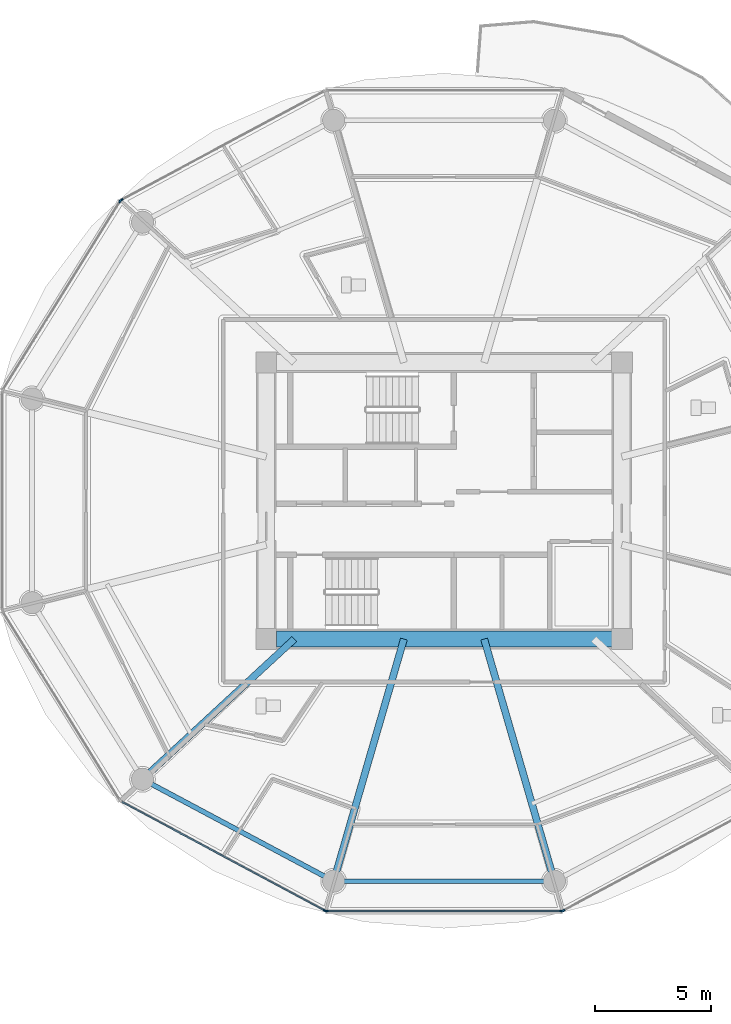
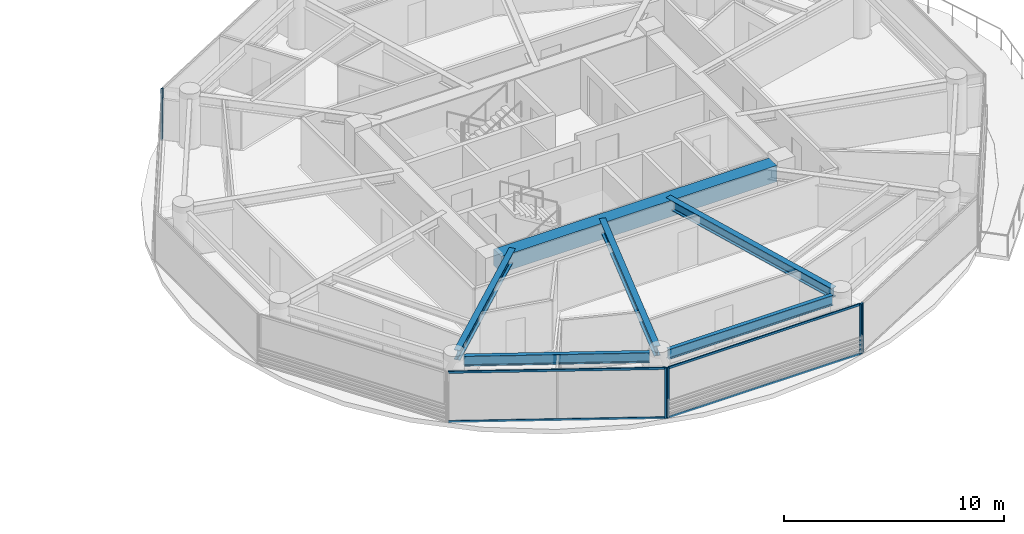
# One storey, part 10 of 31: 10 members, 6 beams, 5 elements without a shape of their own.
"""IFC4 building model written with IfcOpenShell, lengths in metres."""

import ifcopenshell
import ifcopenshell.guid

model = None  # the IFC model being written
_history = None  # IfcOwnerHistory: only IFC2X3 demands one
_inside = {}  # id of a spatial element -> (the spatial element, [elements in it])
_under = {}  # id of a project, library or spatial element -> (it, [spatial elements below it])
_declared = {}  # id of a project -> (the project, [libraries it declares])
_typed = {}  # id of a type object -> (the type object, [elements of that type])
_made_of = {}  # id of a material, layer set ... -> (it, [elements and type objects made of it])


def new_model(schema):
    """Start an empty IFC model of exactly this schema.

    Asked for "IFC4X3", IfcOpenShell would pick the latest addendum, in which some entities
    have other attributes; the version numbers below select the first issue.
    IFC2X3 requires an IfcOwnerHistory on every rooted entity: one is made here for all.
    """
    global model, _history
    if schema == "IFC4X3":
        model = ifcopenshell.file(schema_version=(4, 3, 0, 0))
    else:
        model = ifcopenshell.file(schema=schema)
    _inside.clear()
    _under.clear()
    _declared.clear()
    _typed.clear()
    _made_of.clear()
    _history = None
    if model.schema == "IFC2X3":
        org = make("IfcOrganization", Name="unknown")
        user = make(
            "IfcPersonAndOrganization",
            ThePerson=make("IfcPerson", FamilyName="unknown"),
            TheOrganization=org,
        )
        app = make(
            "IfcApplication",
            ApplicationDeveloper=org,
            Version="unknown",
            ApplicationFullName="unknown",
            ApplicationIdentifier="unknown",
        )
        _history = make(
            "IfcOwnerHistory",
            OwningUser=user,
            OwningApplication=app,
            ChangeAction="ADDED",
            CreationDate=0,
        )
    return model


def make(cls, **values):
    """One entity of the class cls with the attributes given. An attribute that is None is left unset."""
    return model.create_entity(
        cls, **{name: value for name, value in values.items() if value is not None}
    )


def rooted(cls, **values):
    """An entity with a GlobalId (a new one), such as an element, a storey or a relation."""
    return make(cls, GlobalId=ifcopenshell.guid.new(), OwnerHistory=_history, **values)


def si_unit(unit_type, name, prefix=None):
    """IfcSIUnit, for example si_unit("LENGTHUNIT", "METRE", prefix="MILLI")."""
    return make("IfcSIUnit", UnitType=unit_type, Prefix=prefix, Name=name)


def assignment(units):
    """IfcUnitAssignment: the units of a project."""
    return None if units is None else make("IfcUnitAssignment", Units=units)


def point(xyz):
    """IfcCartesianPoint."""
    return None if xyz is None else make("IfcCartesianPoint", Coordinates=xyz)


def direction(xyz):
    """IfcDirection."""
    return None if xyz is None else make("IfcDirection", DirectionRatios=xyz)


def frame(location, z_axis=None, x_axis=None):
    """IfcAxis2Placement3D, a coordinate frame: its origin and axes. An axis left out is left unset."""
    return make(
        "IfcAxis2Placement3D",
        Location=point(location),
        Axis=direction(z_axis),
        RefDirection=direction(x_axis),
    )


def frame_2d(location, x_axis=None):
    """IfcAxis2Placement2D, a coordinate frame in the plane: its origin and x axis."""
    return make(
        "IfcAxis2Placement2D", Location=point(location), RefDirection=direction(x_axis)
    )


def origin():
    """The frame at (0, 0, 0) with its axes left unset."""
    return frame((0.0, 0.0, 0.0))


def origin_2d():
    """The frame at (0, 0) in the plane with its x axis left unset."""
    return frame_2d((0.0, 0.0))


def place(relative_to, where):
    """IfcLocalPlacement: puts the frame where relative to a parent placement (None: the world)."""
    return make(
        "IfcLocalPlacement", PlacementRelTo=relative_to, RelativePlacement=where
    )


def context(
    kind, dimensions, precision=None, world=None, true_north=None, identifier=None
):
    """IfcGeometricRepresentationContext, for example the 3D "Model" context."""
    return make(
        "IfcGeometricRepresentationContext",
        ContextIdentifier=identifier,
        ContextType=kind,
        CoordinateSpaceDimension=dimensions,
        Precision=precision,
        WorldCoordinateSystem=world,
        TrueNorth=true_north,
    )


def subcontext(parent, identifier, kind, view, scale=None):
    """IfcGeometricRepresentationSubContext, for example "Body" below "Model"."""
    return make(
        "IfcGeometricRepresentationSubContext",
        ContextIdentifier=identifier,
        ContextType=kind,
        ParentContext=parent,
        TargetScale=scale,
        TargetView=view,
    )


def project(units=None, contexts=None):
    """IfcProject with its units and contexts."""
    return rooted(
        "IfcProject",
        Name="project",
        RepresentationContexts=contexts,
        UnitsInContext=assignment(units),
    )


def spatial(cls, under=None, at=None, **own):
    """A site, building, storey or space (cls), placed at a placement, below another one or the project."""
    s = rooted(cls, ObjectPlacement=at, **own)
    if under is not None:
        _under.setdefault(under.id(), (under, []))[1].append(s)
    return s


def profile(cls, at=None, kind="AREA", **sizes):
    """A parametric profile (cls). Its sizes go by their IFC names, for example OverallWidth=200.0."""
    return make(cls, ProfileType=kind, Position=at, **sizes)


def rectangle(**sizes):
    """IfcRectangleProfileDef."""
    return profile("IfcRectangleProfileDef", **sizes)


def i_section(**sizes):
    """IfcIShapeProfileDef."""
    return profile("IfcIShapeProfileDef", **sizes)


def extrude(swept, where, along, depth):
    """IfcExtrudedAreaSolid: the profile swept, set in the frame where, extruded along a direction by depth."""
    return make(
        "IfcExtrudedAreaSolid",
        SweptArea=swept,
        Position=where,
        ExtrudedDirection=direction(along),
        Depth=depth,
    )


def shape(context_of_items, identifier, shape_type, items):
    """IfcShapeRepresentation: the items that make up one representation, for example the "Body"."""
    return make(
        "IfcShapeRepresentation",
        ContextOfItems=context_of_items,
        RepresentationIdentifier=identifier,
        RepresentationType=shape_type,
        Items=items,
    )


def source(mapping_origin, context_of_items, identifier, shape_type, items):
    """IfcRepresentationMap: a shape defined once, which mapped items show again and again."""
    return make(
        "IfcRepresentationMap",
        MappingOrigin=mapping_origin,
        MappedRepresentation=shape(context_of_items, identifier, shape_type, items),
    )


def transform(
    local_origin,
    x_axis=None,
    y_axis=None,
    z_axis=None,
    scale=None,
    scale2=None,
    scale3=None,
    uniform=True,
):
    """IfcCartesianTransformationOperator3D, or its non-uniform kind. x_axis, y_axis, z_axis: its Axis1, 2, 3."""
    if uniform:
        return make(
            "IfcCartesianTransformationOperator3D",
            Axis1=direction(x_axis),
            Axis2=direction(y_axis),
            LocalOrigin=point(local_origin),
            Scale=scale,
            Axis3=direction(z_axis),
        )
    return make(
        "IfcCartesianTransformationOperator3DnonUniform",
        Axis1=direction(x_axis),
        Axis2=direction(y_axis),
        LocalOrigin=point(local_origin),
        Scale=scale,
        Axis3=direction(z_axis),
        Scale2=scale2,
        Scale3=scale3,
    )


def mapped(mapping_source, mapping_target):
    """IfcMappedItem: shows the shape of a source again, moved by a transform."""
    return make(
        "IfcMappedItem", MappingSource=mapping_source, MappingTarget=mapping_target
    )


def material(Name=None, Category=None):
    """IfcMaterial."""
    return make("IfcMaterial", Name=Name, Category=Category)


def layer(
    of_material, thickness, ventilated=None, Name=None, Category=None, Priority=None
):
    """IfcMaterialLayer: one layer of a wall or slab, of a material (None: an air gap)."""
    return make(
        "IfcMaterialLayer",
        Material=of_material,
        LayerThickness=thickness,
        IsVentilated=ventilated,
        Name=Name,
        Category=Category,
        Priority=Priority,
    )


def layer_set(layers, Name=None):
    """IfcMaterialLayerSet."""
    return make("IfcMaterialLayerSet", MaterialLayers=layers, LayerSetName=Name)


def material_profile(
    of_material, cross_section, Name=None, Category=None, Priority=None
):
    """IfcMaterialProfile: a cross section and its material."""
    return make(
        "IfcMaterialProfile",
        Name=Name,
        Material=of_material,
        Profile=cross_section,
        Priority=Priority,
        Category=Category,
    )


def profile_set(profiles, Name=None, composite=None):
    """IfcMaterialProfileSet."""
    return make(
        "IfcMaterialProfileSet",
        Name=Name,
        MaterialProfiles=profiles,
        CompositeProfile=composite,
    )


def made_of(thing, what):
    """Note that an element or type object is made of a material, layer set ...; save() writes the relation."""
    if what is not None:
        _made_of.setdefault(what.id(), (what, []))[1].append(thing)
    return thing


def type_object(cls, material=None, **own):
    """A type object (cls), such as IfcWallType, which elements share."""
    return made_of(rooted(cls, **own), material)


def type_shapes(of_type, sources):
    """Give a type object the sources (RepresentationMaps) that its elements show as mapped items."""
    of_type.RepresentationMaps = sources


def element(
    cls,
    number,
    at=None,
    inside=None,
    cuts=None,
    type_object=None,
    material=None,
    context=None,
    identifier="Body",
    shape_type=None,
    held_by="IfcProductDefinitionShape",
    body=None,
    shapes=None,
    **own,
):
    """One element of the class cls, such as IfcWall. Its Tag is "e" and its number.

    at: its placement. inside: the storey or other place that contains it. cuts: it is an
    opening in that element (IfcRelVoidsElement). A single representation is given by context,
    identifier, shape_type and body (its items); several are given by shapes. held_by: the class
    of the entity that holds the representations. save() writes the other relations.
    """
    e = rooted(cls, Tag="e%d" % number, ObjectPlacement=at, **own)
    if body is not None:
        shapes = [shape(context, identifier, shape_type, body)]
    if shapes is not None:
        e.Representation = make(held_by, Representations=shapes)
    if inside is not None:
        _inside.setdefault(inside.id(), (inside, []))[1].append(e)
    if cuts is not None:
        rooted(
            "IfcRelVoidsElement", RelatingBuildingElement=cuts, RelatedOpeningElement=e
        )
    if type_object is not None:
        _typed.setdefault(type_object.id(), (type_object, []))[1].append(e)
    return made_of(e, material)


def aggregate(whole, parts):
    """IfcRelAggregates: a whole, such as a stair, and the parts it consists of."""
    return rooted("IfcRelAggregates", RelatingObject=whole, RelatedObjects=parts)


def save(model, path):
    """Write the relations noted so far, then the file.

    IfcRelAggregates (storeys below a building ...), IfcRelContainedInSpatialStructure (elements
    in a storey), IfcRelDefinesByType, IfcRelAssociatesMaterial and IfcRelDeclares: one each for
    every whole, place, type object, material and project.
    """
    for whole, parts in _under.values():
        aggregate(whole, parts)
    for where, things in _inside.values():
        rooted(
            "IfcRelContainedInSpatialStructure",
            RelatedElements=things,
            RelatingStructure=where,
        )
    for kind, things in _typed.values():
        rooted("IfcRelDefinesByType", RelatedObjects=things, RelatingType=kind)
    for what, things in _made_of.values():
        rooted("IfcRelAssociatesMaterial", RelatedObjects=things, RelatingMaterial=what)
    for by, libraries in _declared.values():
        rooted("IfcRelDeclares", RelatingContext=by, RelatedDefinitions=libraries)
    model.write(path)


model = new_model("IFC4")

# Units and contexts
model_context = context("Model", 3, precision=1e-05, world=origin(), true_north=direction((0.0, 1.0)))
body_context = subcontext(model_context, "Body", "Model", "MODEL_VIEW")
ifc_project = project(units=[si_unit("LENGTHUNIT", "METRE"), si_unit("AREAUNIT", "SQUARE_METRE"), si_unit("VOLUMEUNIT", "CUBIC_METRE"), si_unit("PLANEANGLEUNIT", "RADIAN"), si_unit("MASSUNIT", "GRAM", prefix="KILO")], contexts=[model_context])

# Site, building, storey
site_placement = place(None, origin())
site = spatial("IfcSite", under=ifc_project, at=site_placement, CompositionType="ELEMENT")
building_placement = place(site_placement, origin())
building = spatial("IfcBuilding", under=site, at=building_placement, Name="Norrkilde Senior Care Towers", CompositionType="ELEMENT")
storey_placement = place(building_placement, frame((0.0, 0.0, 42.949951171875)))
storey = spatial("IfcBuildingStorey", under=building, at=storey_placement, Name="L12", CompositionType="ELEMENT", Elevation=42.949951171875)

# Beams
ifc_material_1 = material(Name="Concrete C60/75", Category="concrete")
ifc_material_profile_1 = material_profile(ifc_material_1, rectangle(XDim=0.699951171875, YDim=0.89990234375, at=origin_2d()), Name="RC BM 700x900")
ifc_profile_set_1 = profile_set([ifc_material_profile_1], Name="Concrete C60/75")
beam_type_1 = type_object("IfcBeamType", Name="Core Coupling Girder 700x900", PredefinedType="USERDEFINED", material=ifc_profile_set_1)
shared_shape_1 = source(origin(), body_context, "Body", "SweptSolid", [
    extrude(rectangle(XDim=0.699951171875, YDim=0.89990234375, at=origin_2d()), origin(), (0.0, 0.0, 1.0), 14.43994140625),
])
type_shapes(beam_type_1, [shared_shape_1])
beam_1_placement = place(storey_placement, frame((20.780029296875, -5.949951171875, 2.340087890625), z_axis=(1.0, 0.0, 0.0), x_axis=(0.0, 1.0, 0.0)))
element("IfcBeam", 1, at=beam_1_placement, inside=storey, type_object=beam_type_1, Name="L12 Core E S Coupling Girder", ObjectType="GIRDER", PredefinedType="USERDEFINED", context=body_context, shape_type="MappedRepresentation", body=[
    mapped(shared_shape_1, transform((0.0, 0.0, 0.0), x_axis=(1.0, 0.0, 0.0), y_axis=(0.0, 1.0, 0.0), z_axis=(0.0, 0.0, 1.0), scale=1.0)),
])
ifc_material_2 = material(Name="Steel S355", Category="steel")
ifc_material_profile_2 = material_profile(ifc_material_2, i_section(OverallWidth=0.2099609375, OverallDepth=0.550048828125, WebThickness=0.010986328125, FlangeThickness=0.01708984375, FilletRadius=0.02392578125, at=origin_2d()), Name="IPE 550")
ifc_profile_set_2 = profile_set([ifc_material_profile_2], Name="Steel S355")
beam_type_2 = type_object("IfcBeamType", Name="Perimeter Ring Spandrel Z1 IPE550", PredefinedType="SPANDREL", material=ifc_profile_set_2)
shared_shape_2 = source(origin(), body_context, "Body", "SweptSolid", [
    extrude(i_section(OverallWidth=0.2099609375, OverallDepth=0.550048828125, WebThickness=0.010986328125, FlangeThickness=0.01708984375, FilletRadius=0.02392578125, at=origin_2d()), origin(), (0.0, 0.0, 1.0), 8.452880859375),
])
beam_2_placement = place(storey_placement, frame((15.408447265625, -12.190185546875, 2.51513671875), z_axis=(0.882368931134, -0.470558252898, 0.0), x_axis=(0.470558252898, 0.882368931134, 0.0)))
element("IfcBeam", 2, at=beam_2_placement, inside=storey, type_object=beam_type_2, Name="L12 Drum E Perimeter Spandrel 08", PredefinedType="SPANDREL", context=body_context, shape_type="MappedRepresentation", body=[
    mapped(shared_shape_2, transform((0.0, 0.0, 0.0), x_axis=(1.0, 0.0, 0.0), y_axis=(0.0, 1.0, 0.0), z_axis=(0.0, 0.0, 1.0), scale=1.0)),
])
ifc_material_profile_3 = material_profile(ifc_material_2, i_section(OverallWidth=0.300048828125, OverallDepth=0.550048828125, WebThickness=0.014892578125, FlangeThickness=0.029052734375, FilletRadius=0.027099609375, at=origin_2d()), Name="HEB 550")
ifc_profile_set_3 = profile_set([ifc_material_profile_3], Name="Steel S355")
beam_type_3 = type_object("IfcBeamType", Name="Radial Floor Beam Z1 HEB550", PredefinedType="BEAM", material=ifc_profile_set_3)
shared_shape_3 = source(origin(), body_context, "Body", "SweptSolid", [
    extrude(i_section(OverallWidth=0.300048828125, OverallDepth=0.550048828125, WebThickness=0.014892578125, FlangeThickness=0.029052734375, FilletRadius=0.027099609375, at=origin_2d()), origin(), (0.0, 0.0, 1.0), 8.459716796875),
])
beam_3_placement = place(storey_placement, frame((21.55859375, -5.949951171875, 2.51513671875), z_axis=(-0.734573269108, -0.678529374686, 0.0), x_axis=(0.678529374686, -0.734573269108, 0.0)))
element("IfcBeam", 3, at=beam_3_placement, inside=storey, type_object=beam_type_3, Name="L12 Drum E Radial Floor Beam 08", PredefinedType="BEAM", context=body_context, shape_type="MappedRepresentation", body=[
    mapped(shared_shape_3, transform((0.0, 0.0, 0.0), x_axis=(1.0, 0.0, 0.0), y_axis=(0.0, 1.0, 0.0), z_axis=(0.0, 0.0, 1.0), scale=1.0)),
])
shared_shape_4 = source(origin(), body_context, "Body", "SweptSolid", [
    extrude(i_section(OverallWidth=0.2099609375, OverallDepth=0.550048828125, WebThickness=0.010986328125, FlangeThickness=0.01708984375, FilletRadius=0.02392578125, at=origin_2d()), origin(), (0.0, 0.0, 1.0), 8.62841796875),
])
type_shapes(beam_type_2, [shared_shape_2, shared_shape_4])
beam_4_placement = place(storey_placement, frame((23.685791015625, -16.37255859375, 2.51513671875), z_axis=(1.0, 0.0, 0.0), x_axis=(0.0, 1.0, 0.0)))
element("IfcBeam", 4, at=beam_4_placement, inside=storey, type_object=beam_type_2, Name="L12 Drum E Perimeter Spandrel 09", PredefinedType="SPANDREL", context=body_context, shape_type="MappedRepresentation", body=[
    mapped(shared_shape_4, transform((0.0, 0.0, 0.0), x_axis=(1.0, 0.0, 0.0), y_axis=(0.0, 1.0, 0.0), z_axis=(0.0, 0.0, 1.0), scale=1.0)),
])
shared_shape_5 = source(origin(), body_context, "Body", "SweptSolid", [
    extrude(i_section(OverallWidth=0.300048828125, OverallDepth=0.550048828125, WebThickness=0.014892578125, FlangeThickness=0.029052734375, FilletRadius=0.027099609375, at=origin_2d()), origin(), (0.0, 0.0, 1.0), 10.4169921875),
])
type_shapes(beam_type_3, [shared_shape_3, shared_shape_5])
for number, where, z_axis, x_axis, name in (
    (5, (26.27392578125, -5.949951171875, 2.51513671875), (-0.278591250785, -0.960409764104, 0.0), (0.960409764104, -0.278591250785, 0.0), "L12 Drum E Radial Floor Beam 09"),
    (6, (29.72607421875, -5.949951171875, 2.51513671875), (0.278591250785, -0.960409764104, 0.0), (0.960409764104, 0.278591250785, 0.0), "L12 Drum E Radial Floor Beam 10"),
):
    element("IfcBeam", number, at=place(storey_placement, frame(where, z_axis=z_axis, x_axis=x_axis)), inside=storey, type_object=beam_type_3, Name=name, PredefinedType="BEAM", context=body_context, shape_type="MappedRepresentation", body=[
        mapped(shared_shape_5, transform((0.0, 0.0, 0.0), x_axis=(1.0, 0.0, 0.0), y_axis=(0.0, 1.0, 0.0), z_axis=(0.0, 0.0, 1.0), scale=1.0)),
    ])

# Curtain wall, member
ifc_material_3 = material(Name="Triple Low-E Insulated Glazing", Category="glass")
ifc_layer = layer(ifc_material_3, 0.199951171875)
ifc_layer_set = layer_set([ifc_layer], Name="Triple Low-E Insulated Glazing")
curtain_wall_type = type_object("IfcCurtainWallType", Name="CW2 Zone 1 Memory Care Curtain Wall", PredefinedType="NOTDEFINED", material=ifc_layer_set)
curtain_wall_1_placement = place(storey_placement, origin())
curtain_wall_1 = element("IfcCurtainWall", 7, at=curtain_wall_1_placement, inside=storey, type_object=curtain_wall_type, Name="L12 Drum E Curtain Wall 03", PredefinedType="NOTDEFINED")
ifc_material_4 = material(Name="Anodised Aluminium", Category="aluminium")
ifc_material_profile_4 = material_profile(ifc_material_4, rectangle(XDim=0.06494140625, YDim=0.159912109375, at=origin_2d()), Name="ALU MULL 65x160")
ifc_profile_set_4 = profile_set([ifc_material_profile_4], Name="Anodised Aluminium")
member_type_1 = type_object("IfcMemberType", Name="Curtain Wall Mullion Z1-Z2 65x160", PredefinedType="MULLION", material=ifc_profile_set_4)
shared_shape_6 = source(origin(), body_context, "Body", "SweptSolid", [
    extrude(rectangle(XDim=0.06494140625, YDim=0.159912109375, at=origin_2d()), origin(), (0.0, 0.0, 1.0), 2.7900390625),
])
type_shapes(member_type_1, [shared_shape_6])
member_1_placement = place(storey_placement, frame((14.11279296875, 12.941162109375, 0.0), z_axis=(0.0, 0.0, 1.0), x_axis=(-0.472607802456, 0.881272866403, 0.0)))
member_1 = element("IfcMember", 8, at=member_1_placement, type_object=member_type_1, Name="CW-2 mullion 1", PredefinedType="MULLION", context=body_context, shape_type="MappedRepresentation", body=[
    mapped(shared_shape_6, transform((0.0, 0.0, 0.0), x_axis=(1.0, 0.0, 0.0), y_axis=(0.0, 1.0, 0.0), z_axis=(0.0, 0.0, 1.0), scale=1.0)),
])
aggregate(curtain_wall_1, [member_1])

curtain_wall_2_placement = place(storey_placement, origin())
curtain_wall_2 = element("IfcCurtainWall", 9, at=curtain_wall_2_placement, inside=storey, type_object=curtain_wall_type, Name="L12 Drum E Curtain Wall 04", PredefinedType="NOTDEFINED")
member_2_placement = place(storey_placement, frame((14.06689453125, 12.898193359375, 0.0), z_axis=(0.0, 0.0, 1.0), x_axis=(-0.849305943117, 0.527900951871, 0.0)))
member_2 = element("IfcMember", 10, at=member_2_placement, type_object=member_type_1, Name="CW-2 mullion 2", PredefinedType="MULLION", context=body_context, shape_type="MappedRepresentation", body=[
    mapped(shared_shape_6, transform((0.0, 0.0, 0.0), x_axis=(1.0, 0.0, 0.0), y_axis=(0.0, 1.0, 0.0), z_axis=(0.0, 0.0, 1.0), scale=1.0)),
])
aggregate(curtain_wall_2, [member_2])

curtain_wall_3_placement = place(storey_placement, origin())
curtain_wall_3 = element("IfcCurtainWall", 11, at=curtain_wall_3_placement, inside=storey, type_object=curtain_wall_type, Name="L12 Drum E Curtain Wall 07", PredefinedType="NOTDEFINED")
member_3_placement = place(storey_placement, frame((22.877685546875, -17.641845703125, 0.0), z_axis=(0.0, 0.0, 1.0), x_axis=(-0.472607802456, -0.881272866403, 0.0)))
member_3 = element("IfcMember", 12, at=member_3_placement, type_object=member_type_1, Name="CW-2 mullion 1", PredefinedType="MULLION", context=body_context, shape_type="MappedRepresentation", body=[
    mapped(shared_shape_6, transform((0.0, 0.0, 0.0), x_axis=(1.0, 0.0, 0.0), y_axis=(0.0, 1.0, 0.0), z_axis=(0.0, 0.0, 1.0), scale=1.0)),
])

# Curtain wall, members
curtain_wall_4_placement = place(storey_placement, origin())
curtain_wall_4 = element("IfcCurtainWall", 13, at=curtain_wall_4_placement, inside=storey, type_object=curtain_wall_type, Name="L12 Drum E Curtain Wall 08", PredefinedType="NOTDEFINED")
member_4_placement = place(storey_placement, frame((33.06103515625, -17.6572265625, 0.0), z_axis=(0.0, 0.0, 1.0), x_axis=(0.0, -1.0, 0.0)))
member_4 = element("IfcMember", 14, at=member_4_placement, type_object=member_type_1, Name="CW-2 mullion 1", PredefinedType="MULLION", context=body_context, shape_type="MappedRepresentation", body=[
    mapped(shared_shape_6, transform((0.0, 0.0, 0.0), x_axis=(1.0, 0.0, 0.0), y_axis=(0.0, 1.0, 0.0), z_axis=(0.0, 0.0, 1.0), scale=1.0)),
])
member_5_placement = place(storey_placement, frame((22.93896484375, -17.6572265625, 0.0), z_axis=(0.0, 0.0, 1.0), x_axis=(0.0, -1.0, 0.0)))
member_5 = element("IfcMember", 15, at=member_5_placement, type_object=member_type_1, Name="CW-2 mullion 2", PredefinedType="MULLION", context=body_context, shape_type="MappedRepresentation", body=[
    mapped(shared_shape_6, transform((0.0, 0.0, 0.0), x_axis=(1.0, 0.0, 0.0), y_axis=(0.0, 1.0, 0.0), z_axis=(0.0, 0.0, 1.0), scale=1.0)),
])

# Curtain wall, member
curtain_wall_5_placement = place(storey_placement, origin())
curtain_wall_5 = element("IfcCurtainWall", 16, at=curtain_wall_5_placement, inside=storey, type_object=curtain_wall_type, Name="L12 Drum E Curtain Wall 09", PredefinedType="NOTDEFINED")
member_6_placement = place(storey_placement, frame((33.122314453125, -17.641845703125, 0.0), z_axis=(0.0, 0.0, 1.0), x_axis=(0.472607802456, -0.881272866403, 0.0)))
member_6 = element("IfcMember", 17, at=member_6_placement, type_object=member_type_1, Name="CW-2 mullion 2", PredefinedType="MULLION", context=body_context, shape_type="MappedRepresentation", body=[
    mapped(shared_shape_6, transform((0.0, 0.0, 0.0), x_axis=(1.0, 0.0, 0.0), y_axis=(0.0, 1.0, 0.0), z_axis=(0.0, 0.0, 1.0), scale=1.0)),
])
aggregate(curtain_wall_5, [member_6])

# Member
ifc_material_profile_5 = material_profile(ifc_material_4, rectangle(XDim=0.06005859375, YDim=0.1201171875, at=origin_2d()), Name="ALU TRAN 60x120")
ifc_profile_set_5 = profile_set([ifc_material_profile_5], Name="Anodised Aluminium")
member_type_2 = type_object("IfcMemberType", Name="Curtain Wall Transom Typical 60x120", PredefinedType="USERDEFINED", material=ifc_profile_set_5)
shared_shape_7 = source(origin(), body_context, "Body", "SweptSolid", [
    extrude(rectangle(XDim=0.06005859375, YDim=0.1201171875, at=origin_2d()), origin(), (0.0, 0.0, 1.0), 9.880859375),
])
member_7_placement = place(storey_placement, frame((22.84912109375, -17.62646484375, 0.030029296875), z_axis=(-0.881267204043, 0.47261836092, 0.0), x_axis=(-0.47261836092, -0.881267204043, 0.0)))
member_7 = element("IfcMember", 18, at=member_7_placement, type_object=member_type_2, Name="CW-2 transom 1.1", ObjectType="TRANSOM", PredefinedType="USERDEFINED", context=body_context, shape_type="MappedRepresentation", body=[
    mapped(shared_shape_7, transform((0.0, 0.0, 0.0), x_axis=(1.0, 0.0, 0.0), y_axis=(0.0, 1.0, 0.0), z_axis=(0.0, 0.0, 1.0), scale=1.0)),
])

member_8_placement = place(storey_placement, frame((22.84912109375, -17.62646484375, 2.760009765625), z_axis=(-0.881267204043, 0.47261836092, 0.0), x_axis=(-0.47261836092, -0.881267204043, 0.0)))
member_8 = element("IfcMember", 19, at=member_8_placement, type_object=member_type_2, Name="CW-2 transom 1.2", ObjectType="TRANSOM", PredefinedType="USERDEFINED", context=body_context, shape_type="MappedRepresentation", body=[
    mapped(shared_shape_7, transform((0.0, 0.0, 0.0), x_axis=(1.0, 0.0, 0.0), y_axis=(0.0, 1.0, 0.0), z_axis=(0.0, 0.0, 1.0), scale=1.0)),
])

aggregate(curtain_wall_3, [member_3, member_7, member_8])

shared_shape_8 = source(origin(), body_context, "Body", "SweptSolid", [
    extrude(rectangle(XDim=0.06005859375, YDim=0.1201171875, at=origin_2d()), origin(), (0.0, 0.0, 1.0), 10.05712890625),
])
type_shapes(member_type_2, [shared_shape_7, shared_shape_8])
member_9_placement = place(storey_placement, frame((33.028564453125, -17.6572265625, 0.030029296875), z_axis=(-1.0, 0.0, 0.0), x_axis=(0.0, -1.0, 0.0)))
member_9 = element("IfcMember", 20, at=member_9_placement, type_object=member_type_2, Name="CW-2 transom 1.1", ObjectType="TRANSOM", PredefinedType="USERDEFINED", context=body_context, shape_type="MappedRepresentation", body=[
    mapped(shared_shape_8, transform((0.0, 0.0, 0.0), x_axis=(1.0, 0.0, 0.0), y_axis=(0.0, 1.0, 0.0), z_axis=(0.0, 0.0, 1.0), scale=1.0)),
])

member_10_placement = place(storey_placement, frame((33.028564453125, -17.6572265625, 2.760009765625), z_axis=(-1.0, 0.0, 0.0), x_axis=(0.0, -1.0, 0.0)))
member_10 = element("IfcMember", 21, at=member_10_placement, type_object=member_type_2, Name="CW-2 transom 1.2", ObjectType="TRANSOM", PredefinedType="USERDEFINED", context=body_context, shape_type="MappedRepresentation", body=[
    mapped(shared_shape_8, transform((0.0, 0.0, 0.0), x_axis=(1.0, 0.0, 0.0), y_axis=(0.0, 1.0, 0.0), z_axis=(0.0, 0.0, 1.0), scale=1.0)),
])

aggregate(curtain_wall_4, [member_4, member_5, member_9, member_10])

save(model, "model.ifc")
